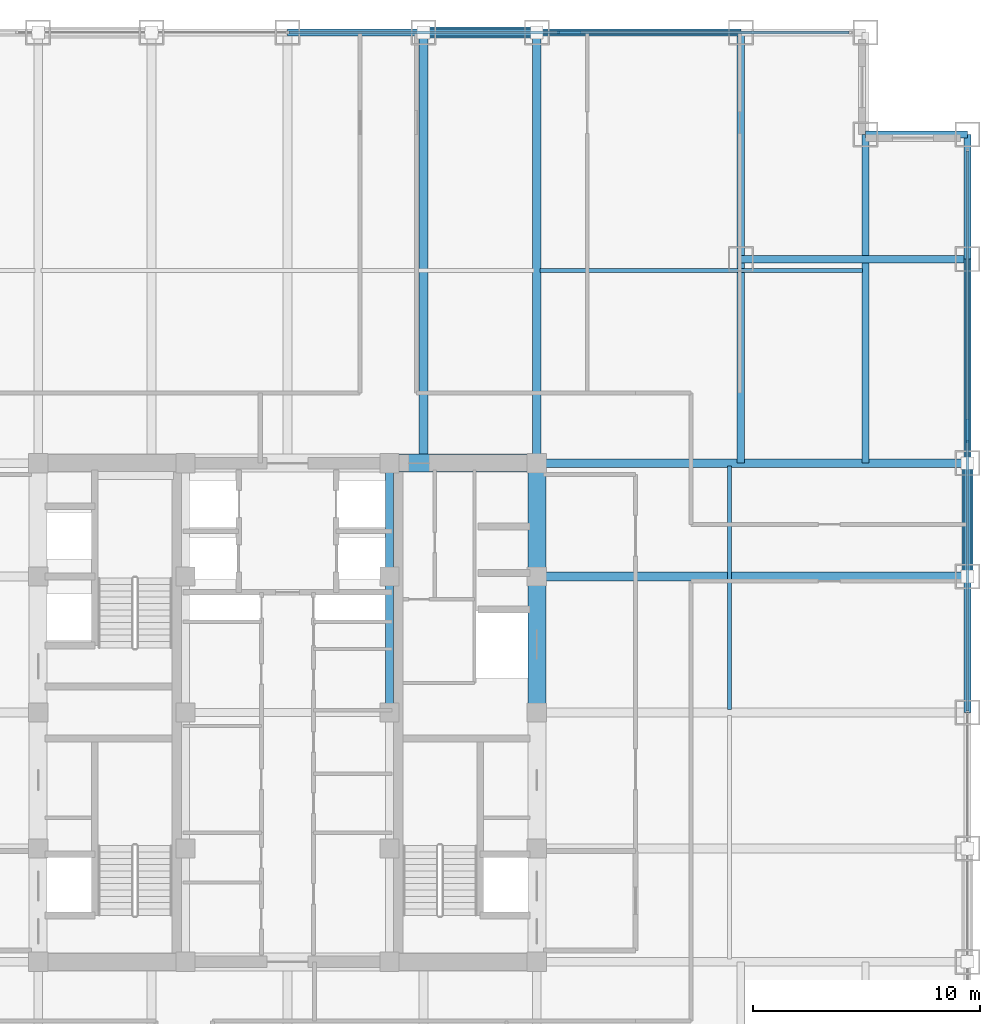
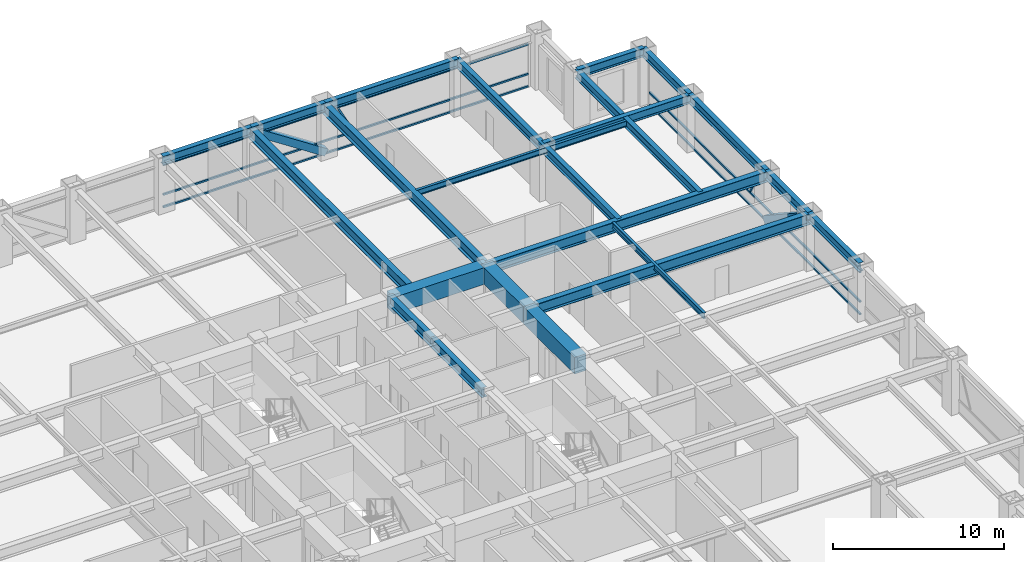
# One storey, part 17 of 24: 22 beams, 10 members, 2 elements without a shape of their own.
"""IFC4 building model written with IfcOpenShell, lengths in metres."""

from ifc_helpers import new_model, si_unit, direction, frame, origin, origin_2d, place, context, subcontext, project, spatial, rectangle, hollow_rectangle, i_section, extrude, source, transform, mapped, material, material_profile, profile_set, type_object, element, aggregate, save


model = new_model("IFC4")

# Units and contexts
model_context = context("Model", 3, precision=1e-05, world=origin(), true_north=direction((0.0, 1.0)))
body_context = subcontext(model_context, "Body", "Model", "MODEL_VIEW")
ifc_project = project(units=[si_unit("LENGTHUNIT", "METRE"), si_unit("AREAUNIT", "SQUARE_METRE"), si_unit("VOLUMEUNIT", "CUBIC_METRE"), si_unit("PLANEANGLEUNIT", "RADIAN"), si_unit("MASSUNIT", "GRAM", prefix="KILO")], contexts=[model_context])

# Site, building, storey
site_placement = place(None, origin())
site = spatial("IfcSite", under=ifc_project, at=site_placement, CompositionType="ELEMENT")
building_placement = place(site_placement, origin())
building = spatial("IfcBuilding", under=site, at=building_placement, Name="Khorayat Bourse Tower", CompositionType="ELEMENT")
storey_placement = place(building_placement, frame((0.0, 0.0, 163.10009765625)))
storey = spatial("IfcBuildingStorey", under=building, at=storey_placement, Name="L37", CompositionType="ELEMENT", Elevation=163.10009765625)

# Beams
ifc_material_1 = material(Name="Concrete C72/90", Category="concrete")
ifc_material_profile_1 = material_profile(ifc_material_1, rectangle(XDim=0.800048828125, YDim=1.199951171875, at=origin_2d()), Name="RC 800x1200")
ifc_profile_set_1 = profile_set([ifc_material_profile_1], Name="Concrete C72/90")
beam_type_1 = type_object("IfcBeamType", Name="BM-COUP-1200", PredefinedType="BEAM", material=ifc_profile_set_1)
shared_shape_1 = source(origin(), body_context, "Body", "SweptSolid", [
    extrude(rectangle(XDim=0.800048828125, YDim=1.199951171875, at=origin_2d()), origin(), (0.0, 0.0, 1.0), 5.0),
])
beam_1_placement = place(storey_placement, frame((11.0, 6.0, 3.179931640625), z_axis=(0.0, 1.0, 0.0), x_axis=(-1.0, 0.0, 0.0)))
element("IfcBeam", 1, at=beam_1_placement, inside=storey, type_object=beam_type_1, Name="L37 BM-COUP-1200 BM-L37-CRX-16", PredefinedType="BEAM", context=body_context, shape_type="MappedRepresentation", body=[
    mapped(shared_shape_1, transform((0.0, 0.0, 0.0), scale=1.0)),
])
shared_shape_2 = source(origin(), body_context, "Body", "SweptSolid", [
    extrude(rectangle(XDim=0.800048828125, YDim=1.199951171875, at=origin_2d()), origin(), (0.0, 0.0, 1.0), 6.0),
])
beam_2_placement = place(storey_placement, frame((11.0, 0.0, 3.179931640625), z_axis=(0.0, 1.0, 0.0), x_axis=(-1.0, 0.0, 0.0)))
element("IfcBeam", 2, at=beam_2_placement, inside=storey, type_object=beam_type_1, Name="L37 BM-COUP-1200 BM-L37-CRX-15", PredefinedType="BEAM", context=body_context, shape_type="MappedRepresentation", body=[
    mapped(shared_shape_2, transform((0.0, 0.0, 0.0), scale=1.0)),
])
ifc_material_2 = material(Name="Steel ASTM A992 Grade 50", Category="steel")
ifc_material_profile_2 = material_profile(ifc_material_2, i_section(OverallWidth=0.35498046875, OverallDepth=0.695068359375, WebThickness=0.015380859375, FlangeThickness=0.02490234375, FilletRadius=0.01806640625, at=origin_2d()), Name="W690X217")
ifc_profile_set_2 = profile_set([ifc_material_profile_2], Name="Steel ASTM A992 Grade 50")
beam_type_2 = type_object("IfcBeamType", Name="BM-GIRD-690", PredefinedType="BEAM", material=ifc_profile_set_2)
shared_shape_3 = source(origin(), body_context, "Body", "SweptSolid", [
    extrude(i_section(OverallWidth=0.35498046875, OverallDepth=0.695068359375, WebThickness=0.015380859375, FlangeThickness=0.02490234375, FilletRadius=0.01806640625, at=origin_2d()), origin(), (0.0, 0.0, 1.0), 5.0),
])
beam_3_placement = place(storey_placement, frame((4.5, 6.0, 3.432373046875), z_axis=(0.0, 1.0, 0.0), x_axis=(-1.0, 0.0, 0.0)))
element("IfcBeam", 3, at=beam_3_placement, inside=storey, type_object=beam_type_2, Name="L37 BM-GIRD-690 BM-L37-CRX-12", PredefinedType="BEAM", context=body_context, shape_type="MappedRepresentation", body=[
    mapped(shared_shape_3, transform((0.0, 0.0, 0.0), scale=1.0)),
])
shared_shape_4 = source(origin(), body_context, "Body", "SweptSolid", [
    extrude(i_section(OverallWidth=0.35498046875, OverallDepth=0.695068359375, WebThickness=0.015380859375, FlangeThickness=0.02490234375, FilletRadius=0.01806640625, at=origin_2d()), origin(), (0.0, 0.0, 1.0), 6.0),
])
beam_4_placement = place(storey_placement, frame((4.5, 0.0, 3.432373046875), z_axis=(0.0, 1.0, 0.0), x_axis=(-1.0, 0.0, 0.0)))
element("IfcBeam", 4, at=beam_4_placement, inside=storey, type_object=beam_type_2, Name="L37 BM-GIRD-690 BM-L37-CRX-11", PredefinedType="BEAM", context=body_context, shape_type="MappedRepresentation", body=[
    mapped(shared_shape_4, transform((0.0, 0.0, 0.0), scale=1.0)),
])
shared_shape_5 = source(origin(), body_context, "Body", "SweptSolid", [
    extrude(rectangle(XDim=0.800048828125, YDim=1.199951171875, at=origin_2d()), origin(), (0.0, 0.0, 1.0), 6.5),
])
beam_5_placement = place(storey_placement, frame((4.5, 11.0, 3.179931640625), z_axis=(1.0, 0.0, 0.0), x_axis=(0.0, 1.0, 0.0)))
element("IfcBeam", 5, at=beam_5_placement, inside=storey, type_object=beam_type_1, Name="L37 BM-COUP-1200 BM-L37-CRY-22", PredefinedType="BEAM", context=body_context, shape_type="MappedRepresentation", body=[
    mapped(shared_shape_5, transform((0.0, 0.0, 0.0), scale=1.0)),
])
ifc_material_profile_3 = material_profile(ifc_material_2, i_section(OverallWidth=0.381103515625, OverallDepth=0.77294921875, WebThickness=0.0166015625, FlangeThickness=0.027587890625, FilletRadius=0.01806640625, at=origin_2d()), Name="W760X257")
ifc_profile_set_3 = profile_set([ifc_material_profile_3], Name="Steel ASTM A992 Grade 50")
beam_type_3 = type_object("IfcBeamType", Name="BM-GIRD-760", PredefinedType="BEAM", material=ifc_profile_set_3)
shared_shape_6 = source(origin(), body_context, "Body", "SweptSolid", [
    extrude(i_section(OverallWidth=0.381103515625, OverallDepth=0.77294921875, WebThickness=0.0166015625, FlangeThickness=0.027587890625, FilletRadius=0.01806640625, at=origin_2d()), origin(), (0.0, 0.0, 1.0), 19.0),
])
for number, where, z_axis, x_axis, name in (
    (6, (6.0, 11.0, 3.393310546875), (0.0, 1.0, 0.0), (-1.0, 0.0, 0.0), "L37 BM-GIRD-760 BM-L37-RADY-070"),
    (7, (11.0, 11.0, 3.393310546875), (0.0, 1.0, 0.0), (-1.0, 0.0, 0.0), "L37 BM-GIRD-760 BM-L37-RADY-072"),
    (8, (11.0, 6.0, 3.393310546875), (1.0, 0.0, 0.0), (0.0, 1.0, 0.0), "L37 BM-GIRD-760 BM-L37-RADX-080"),
    (9, (11.0, 11.0, 3.393310546875), (1.0, 0.0, 0.0), (0.0, 1.0, 0.0), "L37 BM-GIRD-760 BM-L37-RADX-082"),
):
    element("IfcBeam", number, at=place(storey_placement, frame(where, z_axis=z_axis, x_axis=x_axis)), inside=storey, type_object=beam_type_3, Name=name, PredefinedType="BEAM", context=body_context, shape_type="MappedRepresentation", body=[
        mapped(shared_shape_6, transform((0.0, 0.0, 0.0), scale=1.0)),
    ])
ifc_material_profile_4 = material_profile(ifc_material_2, i_section(OverallWidth=0.324951171875, OverallDepth=0.615966796875, WebThickness=0.013916015625, FlangeThickness=0.021484375, FilletRadius=0.01611328125, at=origin_2d()), Name="W610X174")
ifc_profile_set_4 = profile_set([ifc_material_profile_4], Name="Steel ASTM A992 Grade 50")
beam_type_4 = type_object("IfcBeamType", Name="BM-GIRD-610", PredefinedType="BEAM", material=ifc_profile_set_4)
shared_shape_7 = source(origin(), body_context, "Body", "SweptSolid", [
    extrude(i_section(OverallWidth=0.324951171875, OverallDepth=0.615966796875, WebThickness=0.013916015625, FlangeThickness=0.021484375, FilletRadius=0.01611328125, at=origin_2d()), origin(), (0.0, 0.0, 1.0), 19.0),
])
beam_6_placement = place(storey_placement, frame((20.0, 11.0, 3.471923828125), z_axis=(0.0, 1.0, 0.0), x_axis=(-1.0, 0.0, 0.0)))
element("IfcBeam", 10, at=beam_6_placement, inside=storey, type_object=beam_type_4, Name="L37 BM-GIRD-610 BM-L37-CNRY-087", PredefinedType="BEAM", context=body_context, shape_type="MappedRepresentation", body=[
    mapped(shared_shape_7, transform((0.0, 0.0, 0.0), scale=1.0)),
])
shared_shape_8 = source(origin(), body_context, "Body", "SweptSolid", [
    extrude(i_section(OverallWidth=0.324951171875, OverallDepth=0.615966796875, WebThickness=0.013916015625, FlangeThickness=0.021484375, FilletRadius=0.01611328125, at=origin_2d()), origin(), (0.0, 0.0, 1.0), 14.5),
])
beam_7_placement = place(storey_placement, frame((25.5, 11.0, 3.471923828125), z_axis=(0.0, 1.0, 0.0), x_axis=(-1.0, 0.0, 0.0)))
element("IfcBeam", 11, at=beam_7_placement, inside=storey, type_object=beam_type_4, Name="L37 BM-GIRD-610 BM-L37-CNRY-091", PredefinedType="BEAM", context=body_context, shape_type="MappedRepresentation", body=[
    mapped(shared_shape_8, transform((0.0, 0.0, 0.0), scale=1.0)),
])
shared_shape_9 = source(origin(), body_context, "Body", "SweptSolid", [
    extrude(i_section(OverallWidth=0.324951171875, OverallDepth=0.615966796875, WebThickness=0.013916015625, FlangeThickness=0.021484375, FilletRadius=0.01611328125, at=origin_2d()), origin(), (0.0, 0.0, 1.0), 10.0),
])
beam_8_placement = place(storey_placement, frame((20.0, 20.0, 3.471923828125), z_axis=(1.0, 0.0, 0.0), x_axis=(0.0, 1.0, 0.0)))
element("IfcBeam", 12, at=beam_8_placement, inside=storey, type_object=beam_type_4, Name="L37 BM-GIRD-610 BM-L37-CNRX-094", PredefinedType="BEAM", context=body_context, shape_type="MappedRepresentation", body=[
    mapped(shared_shape_9, transform((0.0, 0.0, 0.0), scale=1.0)),
])
ifc_material_profile_5 = material_profile(ifc_material_2, i_section(OverallWidth=0.180908203125, OverallDepth=0.4169921875, WebThickness=0.010986328125, FlangeThickness=0.018310546875, FilletRadius=0.011962890625, at=origin_2d()), Name="W410X85")
ifc_profile_set_5 = profile_set([ifc_material_profile_5], Name="Steel ASTM A992 Grade 50")
beam_type_5 = type_object("IfcBeamType", Name="BM-JOIST-410", PredefinedType="JOIST", material=ifc_profile_set_5)
shared_shape_10 = source(origin(), body_context, "Body", "SweptSolid", [
    extrude(i_section(OverallWidth=0.180908203125, OverallDepth=0.4169921875, WebThickness=0.010986328125, FlangeThickness=0.018310546875, FilletRadius=0.011962890625, at=origin_2d()), origin(), (0.0, 0.0, 1.0), 14.240234375),
])
beam_9_placement = place(storey_placement, frame((11.1298828125, 19.5, 3.5712890625), z_axis=(1.0, 0.0, 0.0), x_axis=(0.0, 1.0, 0.0)))
element("IfcBeam", 13, at=beam_9_placement, inside=storey, type_object=beam_type_5, Name="L37 BM-JOIST-410 BM-L37-JSTX-101", PredefinedType="JOIST", context=body_context, shape_type="MappedRepresentation", body=[
    mapped(shared_shape_10, transform((0.0, 0.0, 0.0), scale=1.0)),
])
shared_shape_11 = source(origin(), body_context, "Body", "SweptSolid", [
    extrude(i_section(OverallWidth=0.180908203125, OverallDepth=0.4169921875, WebThickness=0.010986328125, FlangeThickness=0.018310546875, FilletRadius=0.011962890625, at=origin_2d()), origin(), (0.0, 0.0, 1.0), 10.740234375),
])
beam_10_placement = place(storey_placement, frame((19.5, 0.1298828125, 3.5712890625), z_axis=(0.0, 1.0, 0.0), x_axis=(-1.0, 0.0, 0.0)))
element("IfcBeam", 14, at=beam_10_placement, inside=storey, type_object=beam_type_5, Name="L37 BM-JOIST-410 BM-L37-JSTY-105", PredefinedType="JOIST", context=body_context, shape_type="MappedRepresentation", body=[
    mapped(shared_shape_11, transform((0.0, 0.0, 0.0), scale=1.0)),
])
ifc_material_profile_6 = material_profile(ifc_material_2, i_section(OverallWidth=0.324951171875, OverallDepth=0.615966796875, WebThickness=0.013916015625, FlangeThickness=0.021484375, FilletRadius=0.01611328125, at=origin_2d()), Name="W610X174")
ifc_profile_set_6 = profile_set([ifc_material_profile_6], Name="Steel ASTM A992 Grade 50")
beam_type_6 = type_object("IfcBeamType", Name="BM-SPAN-610", PredefinedType="SPANDREL", material=ifc_profile_set_6)
shared_shape_12 = source(origin(), body_context, "Body", "SweptSolid", [
    extrude(i_section(OverallWidth=0.324951171875, OverallDepth=0.615966796875, WebThickness=0.013916015625, FlangeThickness=0.021484375, FilletRadius=0.01611328125, at=origin_2d()), origin(), (0.0, 0.0, 1.0), 5.5),
])
beam_11_placement = place(storey_placement, frame((30.0, 20.0, 3.471923828125), z_axis=(0.0, 1.0, 0.0), x_axis=(-1.0, 0.0, 0.0)))
element("IfcBeam", 15, at=beam_11_placement, inside=storey, type_object=beam_type_6, Name="L37 BM-SPAN-610 BM-L37-SPN-041", PredefinedType="SPANDREL", context=body_context, shape_type="MappedRepresentation", body=[
    mapped(shared_shape_12, transform((0.0, 0.0, 0.0), scale=1.0)),
])
shared_shape_13 = source(origin(), body_context, "Body", "SweptSolid", [
    extrude(i_section(OverallWidth=0.324951171875, OverallDepth=0.615966796875, WebThickness=0.013916015625, FlangeThickness=0.021484375, FilletRadius=0.01611328125, at=origin_2d()), origin(), (0.0, 0.0, 1.0), 9.0),
])
for number, where, z_axis, x_axis, name in (
    (16, (30.0, 11.0, 3.471923828125), (0.0, 1.0, 0.0), (-1.0, 0.0, 0.0), "L37 BM-SPAN-610 BM-L37-SPN-040"),
    (17, (11.0, 30.0, 3.471923828125), (1.0, 0.0, 0.0), (0.0, 1.0, 0.0), "L37 BM-SPAN-610 BM-L37-SPN-045"),
):
    element("IfcBeam", number, at=place(storey_placement, frame(where, z_axis=z_axis, x_axis=x_axis)), inside=storey, type_object=beam_type_6, Name=name, PredefinedType="SPANDREL", context=body_context, shape_type="MappedRepresentation", body=[
        mapped(shared_shape_13, transform((0.0, 0.0, 0.0), scale=1.0)),
    ])
shared_shape_14 = source(origin(), body_context, "Body", "SweptSolid", [
    extrude(i_section(OverallWidth=0.324951171875, OverallDepth=0.615966796875, WebThickness=0.013916015625, FlangeThickness=0.021484375, FilletRadius=0.01611328125, at=origin_2d()), origin(), (0.0, 0.0, 1.0), 5.0),
])
for number, where, z_axis, x_axis, name in (
    (18, (30.0, 6.0, 3.471923828125), (0.0, 1.0, 0.0), (-1.0, 0.0, 0.0), "L37 BM-SPAN-610 BM-L37-SPN-039"),
    (19, (6.0, 30.0, 3.471923828125), (1.0, 0.0, 0.0), (0.0, 1.0, 0.0), "L37 BM-SPAN-610 BM-L37-SPN-046"),
):
    element("IfcBeam", number, at=place(storey_placement, frame(where, z_axis=z_axis, x_axis=x_axis)), inside=storey, type_object=beam_type_6, Name=name, PredefinedType="SPANDREL", context=body_context, shape_type="MappedRepresentation", body=[
        mapped(shared_shape_14, transform((0.0, 0.0, 0.0), scale=1.0)),
    ])
shared_shape_15 = source(origin(), body_context, "Body", "SweptSolid", [
    extrude(i_section(OverallWidth=0.324951171875, OverallDepth=0.615966796875, WebThickness=0.013916015625, FlangeThickness=0.021484375, FilletRadius=0.01611328125, at=origin_2d()), origin(), (0.0, 0.0, 1.0), 6.0),
])
for number, where, z_axis, x_axis, name in (
    (20, (30.0, 0.0, 3.471923828125), (0.0, 1.0, 0.0), (-1.0, 0.0, 0.0), "L37 BM-SPAN-610 BM-L37-SPN-038"),
    (21, (0.0, 30.0, 3.471923828125), (1.0, 0.0, 0.0), (0.0, 1.0, 0.0), "L37 BM-SPAN-610 BM-L37-SPN-047"),
):
    element("IfcBeam", number, at=place(storey_placement, frame(where, z_axis=z_axis, x_axis=x_axis)), inside=storey, type_object=beam_type_6, Name=name, PredefinedType="SPANDREL", context=body_context, shape_type="MappedRepresentation", body=[
        mapped(shared_shape_15, transform((0.0, 0.0, 0.0), scale=1.0)),
    ])
shared_shape_16 = source(origin(), body_context, "Body", "SweptSolid", [
    extrude(i_section(OverallWidth=0.324951171875, OverallDepth=0.615966796875, WebThickness=0.013916015625, FlangeThickness=0.021484375, FilletRadius=0.01611328125, at=origin_2d()), origin(), (0.0, 0.0, 1.0), 4.5),
])
beam_12_placement = place(storey_placement, frame((25.5, 25.5, 3.471923828125), z_axis=(1.0, 0.0, 0.0), x_axis=(0.0, 1.0, 0.0)))
element("IfcBeam", 22, at=beam_12_placement, inside=storey, type_object=beam_type_6, Name="L37 BM-SPAN-610 BM-L37-SPN-042", PredefinedType="SPANDREL", context=body_context, shape_type="MappedRepresentation", body=[
    mapped(shared_shape_16, transform((0.0, 0.0, 0.0), scale=1.0)),
])

# Members
ifc_material_3 = material(Name="Steel EN 10025-4 S460M", Category="steel")
ifc_material_profile_7 = material_profile(ifc_material_3, hollow_rectangle(XDim=0.5, YDim=0.5, WallThickness=0.028076171875, at=origin_2d()), Name="HSS 500x500x28")
ifc_profile_set_7 = profile_set([ifc_material_profile_7], Name="Steel EN 10025-4 S460M")
member_type_1 = type_object("IfcMemberType", Name="MBR-TUBE-500", PredefinedType="BRACE", material=ifc_profile_set_7)
shared_shape_17 = source(origin(), body_context, "Body", "SweptSolid", [
    extrude(hollow_rectangle(XDim=0.5, YDim=0.5, WallThickness=0.028076171875, at=origin_2d()), origin(), (0.0, 0.0, 1.0), 5.979736328125),
])
for number, where, z_axis, x_axis, name in (
    (23, (6.0, 30.0, 3.52978515625), (0.836160261256, 0.0, -0.548485202623), (0.0, 1.0, 0.0), "L37 Perimeter Tube Brace 04"),
    (24, (30.0, 6.0, 3.52978515625), (0.0, 0.836160261256, -0.548485202623), (-1.0, 0.0, 0.0), "L37 Perimeter Tube Brace 08"),
):
    element("IfcMember", number, at=place(storey_placement, frame(where, z_axis=z_axis, x_axis=x_axis)), inside=storey, type_object=member_type_1, Name=name, PredefinedType="BRACE", context=body_context, shape_type="MappedRepresentation", body=[
        mapped(shared_shape_17, transform((0.0, 0.0, 0.0), scale=1.0)),
    ])

# Curtain wall, member
ifc_material_4 = material(Name="Aluminium EN AW-6063 T6", Category="aluminium")
curtain_wall_type = type_object("IfcCurtainWallType", Name="CW-SYS-03", PredefinedType="NOTDEFINED", material=ifc_material_4)
curtain_wall_1_placement = place(storey_placement, origin())
curtain_wall_1 = element("IfcCurtainWall", 25, at=curtain_wall_1_placement, inside=storey, type_object=curtain_wall_type, Name="L37 Curtain Wall CW-L37-N1", PredefinedType="NOTDEFINED")
ifc_material_profile_8 = material_profile(ifc_material_4, hollow_rectangle(XDim=0.1201171875, YDim=0.1201171875, WallThickness=0.0048828125, at=origin_2d()), Name="ALU 120x120x5")
ifc_profile_set_8 = profile_set([ifc_material_profile_8], Name="Aluminium EN AW-6063 T6")
member_type_2 = type_object("IfcMemberType", Name="CWM-DIAG-120", PredefinedType="MULLION", material=ifc_profile_set_8)
shared_shape_18 = source(origin(), body_context, "Body", "SweptSolid", [
    extrude(hollow_rectangle(XDim=0.1201171875, YDim=0.1201171875, WallThickness=0.0048828125, at=origin_2d()), origin(), (0.0, 0.0, 1.0), 2.079345703125),
])
member_1_placement = place(storey_placement, frame((12.904296875, 30.0, 1.08984375), z_axis=(-0.465760949701, 0.0, 0.884910581773), x_axis=(0.0, -1.0, 0.0)))
member_1 = element("IfcMember", 26, at=member_1_placement, type_object=member_type_2, Name="CW-L37-N1 Faceted Diagonal Mullion 2", PredefinedType="MULLION", context=body_context, shape_type="MappedRepresentation", body=[
    mapped(shared_shape_18, transform((0.0, 0.0, 0.0), scale=1.0)),
])

curtain_wall_2_placement = place(storey_placement, origin())
curtain_wall_2 = element("IfcCurtainWall", 27, at=curtain_wall_2_placement, inside=storey, type_object=curtain_wall_type, Name="L37 Curtain Wall CW-L37-E1", PredefinedType="NOTDEFINED")
member_2_placement = place(storey_placement, frame((30.0, 12.904296875, 1.08984375), z_axis=(0.0, -0.465760949701, 0.884910581773), x_axis=(1.0, 0.0, 0.0)))
member_2 = element("IfcMember", 28, at=member_2_placement, type_object=member_type_2, Name="CW-L37-E1 Faceted Diagonal Mullion 2", PredefinedType="MULLION", context=body_context, shape_type="MappedRepresentation", body=[
    mapped(shared_shape_18, transform((0.0, 0.0, 0.0), scale=1.0)),
])

# Member
ifc_material_profile_9 = material_profile(ifc_material_4, hollow_rectangle(XDim=0.1201171875, YDim=0.1201171875, WallThickness=0.0048828125, at=origin_2d()), Name="ALU 120x120x5")
ifc_profile_set_9 = profile_set([ifc_material_profile_9], Name="Aluminium EN AW-6063 T6")
member_type_3 = type_object("IfcMemberType", Name="CWT-HORZ-120", PredefinedType="USERDEFINED", material=ifc_profile_set_9)
shared_shape_19 = source(origin(), body_context, "Body", "SweptSolid", [
    extrude(hollow_rectangle(XDim=0.1201171875, YDim=0.1201171875, WallThickness=0.0048828125, at=origin_2d()), origin(), (0.0, 0.0, 1.0), 24.719970703125),
])
member_3_placement = place(storey_placement, frame((0.06005859375, 30.0, 0.059814453125), z_axis=(1.0, 0.0, 0.0), x_axis=(0.0, 1.0, 0.0)))
member_3 = element("IfcMember", 29, at=member_3_placement, type_object=member_type_3, Name="CW-L37-N1 Horizontal Transom 2-1", ObjectType="TRANSOM", PredefinedType="USERDEFINED", context=body_context, shape_type="MappedRepresentation", body=[
    mapped(shared_shape_19, transform((0.0, 0.0, 0.0), scale=1.0)),
])

member_4_placement = place(storey_placement, frame((0.06005859375, 30.0, 0.949951171875), z_axis=(1.0, 0.0, 0.0), x_axis=(0.0, 1.0, 0.0)))
member_4 = element("IfcMember", 30, at=member_4_placement, type_object=member_type_3, Name="CW-L37-N1 Horizontal Transom 2-2", ObjectType="TRANSOM", PredefinedType="USERDEFINED", context=body_context, shape_type="MappedRepresentation", body=[
    mapped(shared_shape_19, transform((0.0, 0.0, 0.0), scale=1.0)),
])

member_5_placement = place(storey_placement, frame((0.06005859375, 30.0, 3.06982421875), z_axis=(1.0, 0.0, 0.0), x_axis=(0.0, 1.0, 0.0)))
member_5 = element("IfcMember", 31, at=member_5_placement, type_object=member_type_3, Name="CW-L37-N1 Horizontal Transom 2-3", ObjectType="TRANSOM", PredefinedType="USERDEFINED", context=body_context, shape_type="MappedRepresentation", body=[
    mapped(shared_shape_19, transform((0.0, 0.0, 0.0), scale=1.0)),
])

aggregate(curtain_wall_1, [member_3, member_4, member_5, member_1])

member_6_placement = place(storey_placement, frame((30.0, 0.06005859375, 0.059814453125), z_axis=(0.0, 1.0, 0.0), x_axis=(-1.0, 0.0, 0.0)))
member_6 = element("IfcMember", 32, at=member_6_placement, type_object=member_type_3, Name="CW-L37-E1 Horizontal Transom 2-1", ObjectType="TRANSOM", PredefinedType="USERDEFINED", context=body_context, shape_type="MappedRepresentation", body=[
    mapped(shared_shape_19, transform((0.0, 0.0, 0.0), scale=1.0)),
])

member_7_placement = place(storey_placement, frame((30.0, 0.06005859375, 0.949951171875), z_axis=(0.0, 1.0, 0.0), x_axis=(-1.0, 0.0, 0.0)))
member_7 = element("IfcMember", 33, at=member_7_placement, type_object=member_type_3, Name="CW-L37-E1 Horizontal Transom 2-2", ObjectType="TRANSOM", PredefinedType="USERDEFINED", context=body_context, shape_type="MappedRepresentation", body=[
    mapped(shared_shape_19, transform((0.0, 0.0, 0.0), scale=1.0)),
])

member_8_placement = place(storey_placement, frame((30.0, 0.06005859375, 3.06982421875), z_axis=(0.0, 1.0, 0.0), x_axis=(-1.0, 0.0, 0.0)))
member_8 = element("IfcMember", 34, at=member_8_placement, type_object=member_type_3, Name="CW-L37-E1 Horizontal Transom 2-3", ObjectType="TRANSOM", PredefinedType="USERDEFINED", context=body_context, shape_type="MappedRepresentation", body=[
    mapped(shared_shape_19, transform((0.0, 0.0, 0.0), scale=1.0)),
])

aggregate(curtain_wall_2, [member_6, member_7, member_8, member_2])

save(model, "model.ifc")
